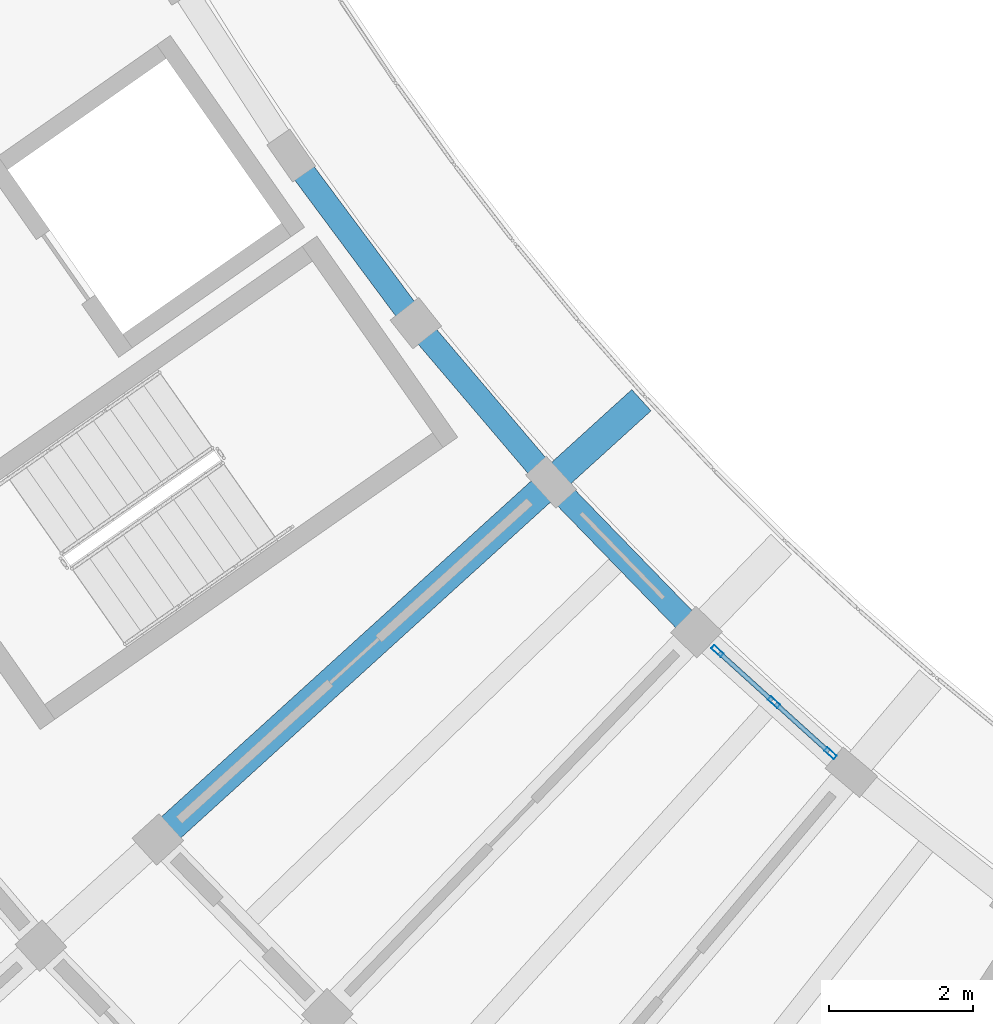
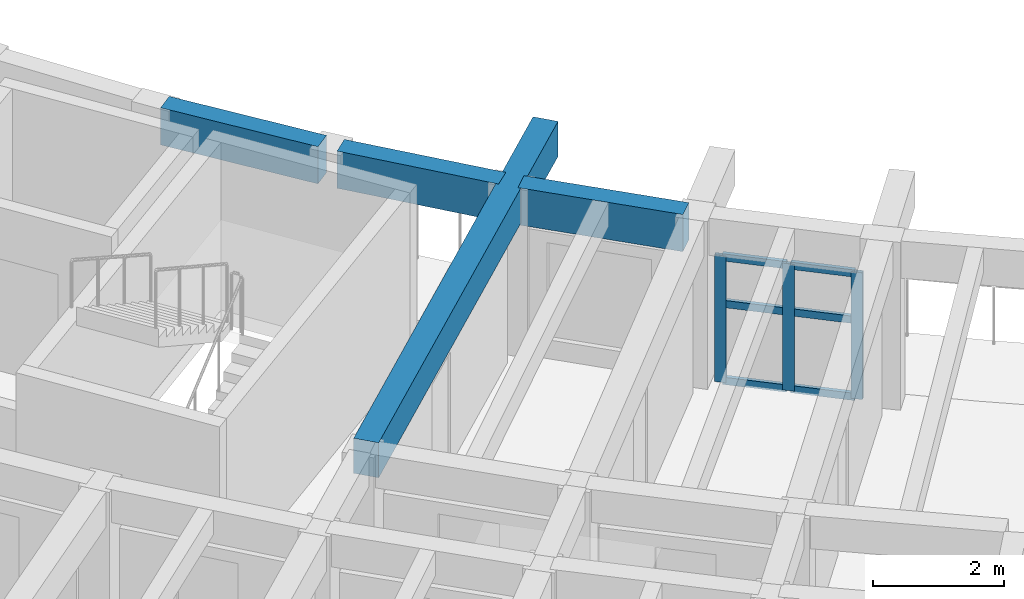
# One storey, part 4 of 56: 9 members, 4 beams, 1 element without a shape of its own.
"""IFC4 building model written with IfcOpenShell, lengths in metres."""

from ifc_helpers import new_model, si_unit, direction, frame, origin, origin_2d, place, context, subcontext, project, spatial, rectangle, hollow_rectangle, extrude, material, material_profile, profile_set, type_object, element, aggregate, save


model = new_model("IFC4")

# Units and contexts
model_context = context("Model", 3, precision=1e-05, world=origin(), true_north=direction((0.0, 1.0)))
body_context = subcontext(model_context, "Body", "Model", "MODEL_VIEW")
ifc_project = project(units=[si_unit("LENGTHUNIT", "METRE"), si_unit("AREAUNIT", "SQUARE_METRE"), si_unit("VOLUMEUNIT", "CUBIC_METRE"), si_unit("PLANEANGLEUNIT", "RADIAN"), si_unit("MASSUNIT", "GRAM", prefix="KILO")], contexts=[model_context])

# Site, building, storey
site_placement = place(None, origin())
site = spatial("IfcSite", under=ifc_project, at=site_placement, CompositionType="ELEMENT")
building_placement = place(site_placement, origin())
building = spatial("IfcBuilding", under=site, at=building_placement, Name="Tanwirah Colonnade Gardens", CompositionType="ELEMENT")
storey_placement = place(building_placement, frame((0.0, 0.0, 29.0)))
storey = spatial("IfcBuildingStorey", under=building, at=storey_placement, Name="L08", CompositionType="ELEMENT", Elevation=29.0)

# Beam
ifc_material_1 = material(Name="Precast concrete C45/55", Category="concrete")
ifc_material_profile_1 = material_profile(ifc_material_1, rectangle(XDim=0.39990234375, YDim=0.64990234375, at=origin_2d()), Name="PC-BM 400x650")
ifc_profile_set_1 = profile_set([ifc_material_profile_1], Name="Precast concrete C45/55")
beam_type_1 = type_object("IfcBeamType", Name="BM-PC400", PredefinedType="BEAM", material=ifc_profile_set_1)
beam_1_placement = place(storey_placement, frame((26.730712890625, 29.738525390625, 2.7900390625), z_axis=(0.740212791446, 0.672372681911, 0.0), x_axis=(-0.672372681911, 0.740212791446, 0.0)))
element("IfcBeam", 1, at=beam_1_placement, inside=storey, type_object=beam_type_1, Name="Block C L08 Inner Radial Precast Girder 7", PredefinedType="BEAM", context=body_context, shape_type="SweptSolid", body=[
    extrude(rectangle(XDim=0.39990234375, YDim=0.64990234375, at=origin_2d()), origin(), (0.0, 0.0, 1.0), 8.9501953125),
])

# Curtain wall, members
ifc_material_2 = material(Name="Bronze-anodised aluminium and solar-control low-E glass", Category="aluminium")
curtain_wall_type = type_object("IfcCurtainWallType", Name="CW-GDN", PredefinedType="NOTDEFINED", material=ifc_material_2)
curtain_wall_placement = place(storey_placement, origin())
curtain_wall = element("IfcCurtainWall", 2, at=curtain_wall_placement, inside=storey, type_object=curtain_wall_type, Name="Curtain Wall CW-C-L08-IN-08", PredefinedType="NOTDEFINED")
ifc_material_3 = material(Name="Bronze-anodised aluminium", Category="aluminium")
ifc_material_profile_2 = material_profile(ifc_material_3, hollow_rectangle(XDim=0.06494140625, YDim=0.179931640625, WallThickness=0.00390625, at=origin_2d()), Name="CW-MUL 65x180x4")
ifc_profile_set_2 = profile_set([ifc_material_profile_2], Name="Bronze-anodised aluminium")
member_type_1 = type_object("IfcMemberType", Name="CWM-65x180", PredefinedType="MULLION", material=ifc_profile_set_2)
member_1_placement = place(storey_placement, frame((34.41357421875, 32.261962890625, 0.0), z_axis=(0.0, 0.0, 1.0), x_axis=(0.670750964954, 0.741682643058, 0.0)))
member_1 = element("IfcMember", 3, at=member_1_placement, type_object=member_type_1, Name="CW-GDN mullion 1", PredefinedType="MULLION", context=body_context, shape_type="SweptSolid", body=[
    extrude(hollow_rectangle(XDim=0.06494140625, YDim=0.179931640625, WallThickness=0.00390625, at=origin_2d()), origin(), (0.0, 0.0, 1.0), 2.35498046875),
])
member_2_placement = place(storey_placement, frame((35.201171875, 31.5498046875, 0.0), z_axis=(0.0, 0.0, 1.0), x_axis=(0.670750964954, 0.741682643058, 0.0)))
member_2 = element("IfcMember", 4, at=member_2_placement, type_object=member_type_1, Name="CW-GDN mullion 2", PredefinedType="MULLION", context=body_context, shape_type="SweptSolid", body=[
    extrude(hollow_rectangle(XDim=0.06494140625, YDim=0.179931640625, WallThickness=0.00390625, at=origin_2d()), origin(), (0.0, 0.0, 1.0), 2.35498046875),
])
member_3_placement = place(storey_placement, frame((35.98876953125, 30.837646484375, 0.0), z_axis=(0.0, 0.0, 1.0), x_axis=(0.670750964954, 0.741682643058, 0.0)))
member_3 = element("IfcMember", 5, at=member_3_placement, type_object=member_type_1, Name="CW-GDN mullion 3", PredefinedType="MULLION", context=body_context, shape_type="SweptSolid", body=[
    extrude(hollow_rectangle(XDim=0.06494140625, YDim=0.179931640625, WallThickness=0.00390625, at=origin_2d()), origin(), (0.0, 0.0, 1.0), 2.35498046875),
])
ifc_material_profile_3 = material_profile(ifc_material_3, hollow_rectangle(XDim=0.06494140625, YDim=0.135009765625, WallThickness=0.00390625, at=origin_2d()), Name="CW-TRN 65x135x4")
ifc_profile_set_3 = profile_set([ifc_material_profile_3], Name="Bronze-anodised aluminium")
member_type_2 = type_object("IfcMemberType", Name="CWT-65x135", PredefinedType="USERDEFINED", material=ifc_profile_set_3)
member_4_placement = place(storey_placement, frame((34.437744140625, 32.240234375, 0.032470703125), z_axis=(0.741611204244, -0.670829949942, 0.0), x_axis=(0.670829949942, 0.741611204244, 0.0)))
member_4 = element("IfcMember", 6, at=member_4_placement, type_object=member_type_2, Name="CW-GDN transom 1.1", ObjectType="TRANSOM", PredefinedType="USERDEFINED", context=body_context, shape_type="SweptSolid", body=[
    extrude(hollow_rectangle(XDim=0.06494140625, YDim=0.135009765625, WallThickness=0.00390625, at=origin_2d()), origin(), (0.0, 0.0, 1.0), 0.996826171875),
])
member_5_placement = place(storey_placement, frame((34.437744140625, 32.240234375, 1.460205078125), z_axis=(0.741611204244, -0.670829949942, 0.0), x_axis=(0.670829949942, 0.741611204244, 0.0)))
member_5 = element("IfcMember", 7, at=member_5_placement, type_object=member_type_2, Name="CW-GDN transom 1.2", ObjectType="TRANSOM", PredefinedType="USERDEFINED", context=body_context, shape_type="SweptSolid", body=[
    extrude(hollow_rectangle(XDim=0.06494140625, YDim=0.135009765625, WallThickness=0.00390625, at=origin_2d()), origin(), (0.0, 0.0, 1.0), 0.996826171875),
])
member_6_placement = place(storey_placement, frame((34.437744140625, 32.240234375, 2.322509765625), z_axis=(0.741611204244, -0.670829949942, 0.0), x_axis=(0.670829949942, 0.741611204244, 0.0)))
member_6 = element("IfcMember", 8, at=member_6_placement, type_object=member_type_2, Name="CW-GDN transom 1.3", ObjectType="TRANSOM", PredefinedType="USERDEFINED", context=body_context, shape_type="SweptSolid", body=[
    extrude(hollow_rectangle(XDim=0.06494140625, YDim=0.135009765625, WallThickness=0.00390625, at=origin_2d()), origin(), (0.0, 0.0, 1.0), 0.996826171875),
])
member_7_placement = place(storey_placement, frame((35.22509765625, 31.528076171875, 0.032470703125), z_axis=(0.741721390388, -0.67070811762, 0.0), x_axis=(0.67070811762, 0.741721390388, 0.0)))
member_7 = element("IfcMember", 9, at=member_7_placement, type_object=member_type_2, Name="CW-GDN transom 2.1", ObjectType="TRANSOM", PredefinedType="USERDEFINED", context=body_context, shape_type="SweptSolid", body=[
    extrude(hollow_rectangle(XDim=0.06494140625, YDim=0.135009765625, WallThickness=0.00390625, at=origin_2d()), origin(), (0.0, 0.0, 1.0), 0.9970703125),
])
member_8_placement = place(storey_placement, frame((35.22509765625, 31.528076171875, 1.460205078125), z_axis=(0.741721390388, -0.67070811762, 0.0), x_axis=(0.67070811762, 0.741721390388, 0.0)))
member_8 = element("IfcMember", 10, at=member_8_placement, type_object=member_type_2, Name="CW-GDN transom 2.2", ObjectType="TRANSOM", PredefinedType="USERDEFINED", context=body_context, shape_type="SweptSolid", body=[
    extrude(hollow_rectangle(XDim=0.06494140625, YDim=0.135009765625, WallThickness=0.00390625, at=origin_2d()), origin(), (0.0, 0.0, 1.0), 0.9970703125),
])
member_9_placement = place(storey_placement, frame((35.22509765625, 31.528076171875, 2.322509765625), z_axis=(0.741721390388, -0.67070811762, 0.0), x_axis=(0.67070811762, 0.741721390388, 0.0)))
member_9 = element("IfcMember", 11, at=member_9_placement, type_object=member_type_2, Name="CW-GDN transom 2.3", ObjectType="TRANSOM", PredefinedType="USERDEFINED", context=body_context, shape_type="SweptSolid", body=[
    extrude(hollow_rectangle(XDim=0.06494140625, YDim=0.135009765625, WallThickness=0.00390625, at=origin_2d()), origin(), (0.0, 0.0, 1.0), 0.9970703125),
])
aggregate(curtain_wall, [member_1, member_2, member_3, member_4, member_5, member_6, member_7, member_8, member_9])

# Beams
ifc_material_4 = material(Name="Precast concrete C40/50", Category="concrete")
ifc_material_profile_4 = material_profile(ifc_material_4, rectangle(XDim=0.330078125, YDim=0.68994140625, at=origin_2d()), Name="PC-SP 330x690")
ifc_profile_set_4 = profile_set([ifc_material_profile_4], Name="Precast concrete C40/50")
beam_type_2 = type_object("IfcBeamType", Name="SP-PC280", PredefinedType="SPANDREL", material=ifc_profile_set_4)
beam_2_placement = place(storey_placement, frame((28.5673828125, 39.043212890625, 2.77001953125), z_axis=(0.596565220249, -0.802564600508, 0.0), x_axis=(0.802564600508, 0.596565220249, 0.0)))
element("IfcBeam", 12, at=beam_2_placement, inside=storey, type_object=beam_type_2, Name="Block C L08 Circumferential Beam 5-R0", PredefinedType="SPANDREL", context=body_context, shape_type="SweptSolid", body=[
    extrude(rectangle(XDim=0.330078125, YDim=0.68994140625, at=origin_2d()), origin(), (0.0, 0.0, 1.0), 2.6083984375),
])
beam_3_placement = place(storey_placement, frame((30.310302734375, 36.71484375, 2.77001953125), z_axis=(0.647811402053, -0.761800753065, 0.0), x_axis=(0.761800753065, 0.647811402053, 0.0)))
element("IfcBeam", 13, at=beam_3_placement, inside=storey, type_object=beam_type_2, Name="Block C L08 Circumferential Beam 6-R0", PredefinedType="SPANDREL", context=body_context, shape_type="SweptSolid", body=[
    extrude(rectangle(XDim=0.330078125, YDim=0.68994140625, at=origin_2d()), origin(), (0.0, 0.0, 1.0), 2.608642578125),
])
beam_4_placement = place(storey_placement, frame((32.20166015625, 34.505615234375, 2.77001953125), z_axis=(0.696262751108, -0.717787002822, 0.0), x_axis=(0.717787002822, 0.696262751108, 0.0)))
element("IfcBeam", 14, at=beam_4_placement, inside=storey, type_object=beam_type_2, Name="Block C L08 Circumferential Beam 7-R0", PredefinedType="SPANDREL", context=body_context, shape_type="SweptSolid", body=[
    extrude(rectangle(XDim=0.330078125, YDim=0.68994140625, at=origin_2d()), origin(), (0.0, 0.0, 1.0), 2.60888671875),
])

save(model, "model.ifc")
